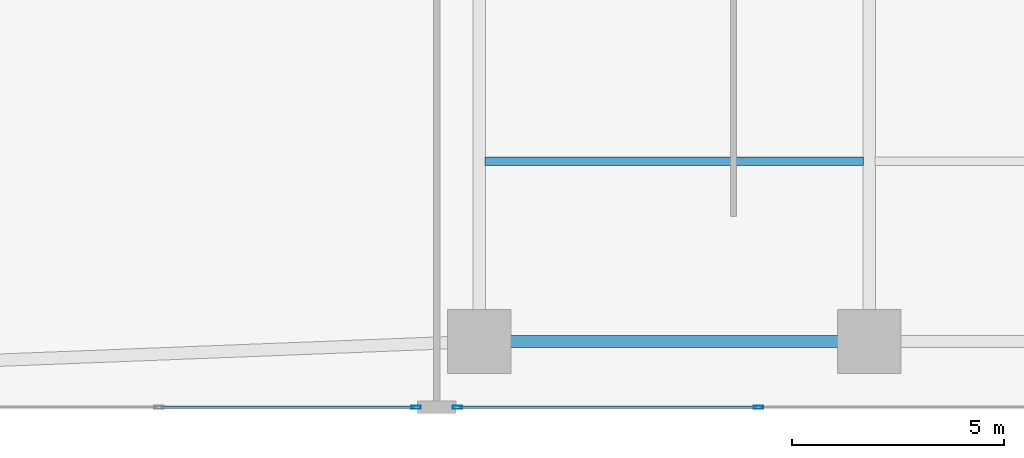
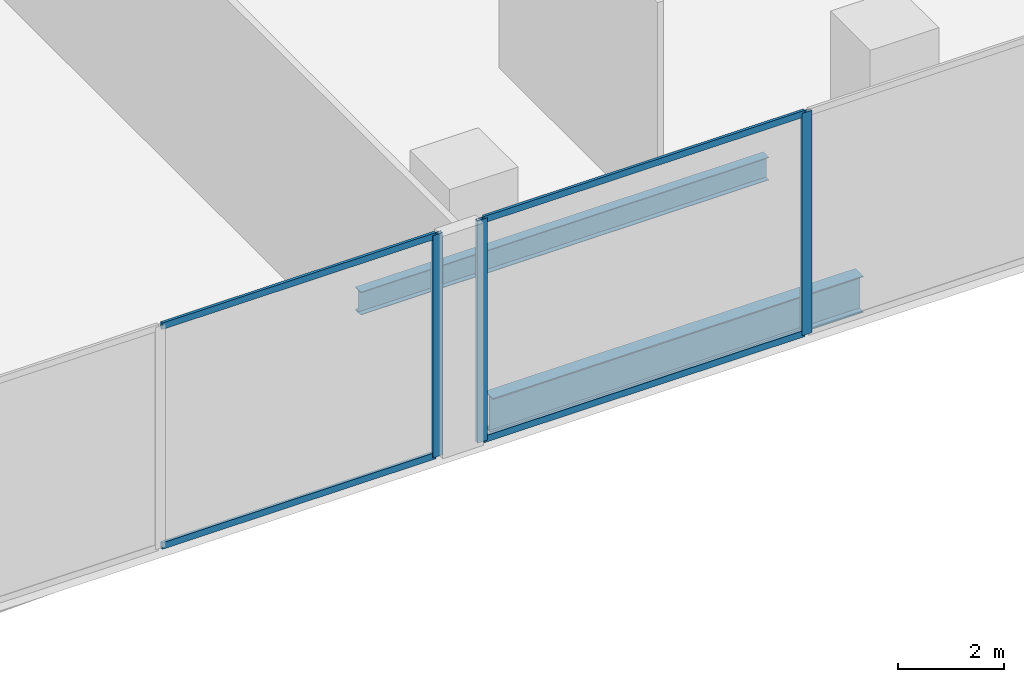
# One storey, part 4 of 30: 7 members, 2 beams, 2 elements without a shape of their own.
"""IFC4 building model written with IfcOpenShell, lengths in metres."""

from ifc_helpers import new_model, si_unit, direction, frame, origin, origin_2d, place, context, subcontext, project, spatial, hollow_rectangle, i_section, extrude, material, layer, layer_set, material_profile, profile_set, type_object, element, aggregate, save


model = new_model("IFC4")

# Units and contexts
model_context = context("Model", 3, precision=1e-05, world=origin(), true_north=direction((0.0, 1.0)))
body_context = subcontext(model_context, "Body", "Model", "MODEL_VIEW")
ifc_project = project(units=[si_unit("LENGTHUNIT", "METRE"), si_unit("AREAUNIT", "SQUARE_METRE"), si_unit("VOLUMEUNIT", "CUBIC_METRE"), si_unit("PLANEANGLEUNIT", "RADIAN"), si_unit("MASSUNIT", "GRAM", prefix="KILO")], contexts=[model_context])

# Site, building, storey
site_placement = place(None, origin())
site = spatial("IfcSite", under=ifc_project, at=site_placement, CompositionType="ELEMENT")
building_placement = place(site_placement, origin())
building = spatial("IfcBuilding", under=site, at=building_placement, Name="Zuhayl Quay Hotel", CompositionType="ELEMENT")
storey_placement = place(building_placement, frame((0.0, 0.0, 6.0)))
storey = spatial("IfcBuildingStorey", under=building, at=storey_placement, Name="L01", CompositionType="ELEMENT", Elevation=6.0)

# Beams
ifc_material_1 = material(Name="Steel ASTM A992 Grade 50", Category="steel")
ifc_material_profile_1 = material_profile(ifc_material_1, i_section(OverallWidth=0.208984375, OverallDepth=0.532958984375, WebThickness=0.01025390625, FlangeThickness=0.015625, at=origin_2d()), Name="W21X62")
ifc_profile_set_1 = profile_set([ifc_material_profile_1], Name="Steel ASTM A992 Grade 50")
beam_type_1 = type_object("IfcBeamType", Name="BM_J1_W21X62", PredefinedType="JOIST", material=ifc_profile_set_1)
beam_1_placement = place(storey_placement, frame((-13.662109375, -18.199951171875, -0.5166015625), z_axis=(1.0, 0.0, 0.0), x_axis=(0.0, 1.0, 0.0)))
element("IfcBeam", 1, at=beam_1_placement, inside=storey, type_object=beam_type_1, Name="L01 Floor Beam J_POD_L01_1_1", PredefinedType="JOIST", context=body_context, shape_type="SweptSolid", body=[
    extrude(i_section(OverallWidth=0.208984375, OverallDepth=0.532958984375, WebThickness=0.01025390625, FlangeThickness=0.015625, at=origin_2d()), origin(), (0.0, 0.0, 1.0), 8.924072265625),
])
ifc_material_profile_2 = material_profile(ifc_material_1, i_section(OverallWidth=0.2919921875, OverallDepth=0.845947265625, WebThickness=0.015380859375, FlangeThickness=0.0244140625, at=origin_2d()), Name="W33X141")
ifc_profile_set_2 = profile_set([ifc_material_profile_2], Name="Steel ASTM A992 Grade 50")
beam_type_2 = type_object("IfcBeamType", Name="BM_PG3_W33X141", PredefinedType="BEAM", material=ifc_profile_set_2)
beam_2_placement = place(storey_placement, frame((-13.25, -22.449951171875, -0.673095703125), z_axis=(1.0, 0.0, 0.0), x_axis=(0.0, 1.0, 0.0)))
element("IfcBeam", 2, at=beam_2_placement, inside=storey, type_object=beam_type_2, Name="L01 Floor Beam PG_S_L01_1", PredefinedType="BEAM", context=body_context, shape_type="SweptSolid", body=[
    extrude(i_section(OverallWidth=0.2919921875, OverallDepth=0.845947265625, WebThickness=0.015380859375, FlangeThickness=0.0244140625, at=origin_2d()), origin(), (0.0, 0.0, 1.0), 8.10009765625),
])

# Curtain wall, members
ifc_material_2 = material(Name="Anodised Aluminium 6063-T6", Category="aluminium")
ifc_layer = layer(ifc_material_2, 0.199951171875, Name="Anodised Aluminium 6063-T6", Category="aluminium")
ifc_layer_set = layer_set([ifc_layer], Name="Anodised Aluminium 6063-T6")
curtain_wall_type = type_object("IfcCurtainWallType", Name="CW_SYS_POD", PredefinedType="USERDEFINED", material=ifc_layer_set)
curtain_wall_1_placement = place(storey_placement, origin())
curtain_wall_1 = element("IfcCurtainWall", 3, at=curtain_wall_1_placement, inside=storey, type_object=curtain_wall_type, Name="L01 Curtain Wall ENV_L01_E11_CW2", ObjectType="UNITISED CURTAIN WALL", PredefinedType="USERDEFINED")
ifc_material_3 = material(Name="Black-anodised aluminium 6063-T6", Category="aluminium")
ifc_material_profile_3 = material_profile(ifc_material_3, hollow_rectangle(XDim=0.074951171875, YDim=0.219970703125, WallThickness=0.00390625, at=origin_2d()), Name="ALU220X75")
ifc_profile_set_3 = profile_set([ifc_material_profile_3], Name="Black-anodised aluminium 6063-T6")
member_type_1 = type_object("IfcMemberType", Name="MB_CW_MUL_220", PredefinedType="MULLION", material=ifc_profile_set_3)
member_1_placement = place(storey_placement, frame((-7.215087890625, -24.0, 0.0), z_axis=(0.0, 0.0, 1.0), x_axis=(0.0, -1.0, 0.0)))
member_1 = element("IfcMember", 4, at=member_1_placement, type_object=member_type_1, Name="CW-POD mullion 4", PredefinedType="MULLION", context=body_context, shape_type="SweptSolid", body=[
    extrude(hollow_rectangle(XDim=0.074951171875, YDim=0.219970703125, WallThickness=0.00390625, at=origin_2d()), origin(), (0.0, 0.0, 1.0), 5.139892578125),
])
member_2_placement = place(storey_placement, frame((-14.3125, -24.0, 0.0), z_axis=(0.0, 0.0, 1.0), x_axis=(0.0, -1.0, 0.0)))
member_2 = element("IfcMember", 5, at=member_2_placement, type_object=member_type_1, Name="CW-POD mullion 5", PredefinedType="MULLION", context=body_context, shape_type="SweptSolid", body=[
    extrude(hollow_rectangle(XDim=0.074951171875, YDim=0.219970703125, WallThickness=0.00390625, at=origin_2d()), origin(), (0.0, 0.0, 1.0), 5.139892578125),
])

# Curtain wall, member
curtain_wall_2_placement = place(storey_placement, origin())
curtain_wall_2 = element("IfcCurtainWall", 6, at=curtain_wall_2_placement, inside=storey, type_object=curtain_wall_type, Name="L01 Curtain Wall ENV_L01_E11_CW3", ObjectType="UNITISED CURTAIN WALL", PredefinedType="USERDEFINED")
member_3_placement = place(storey_placement, frame((-15.28759765625, -24.0, 0.0), z_axis=(0.0, 0.0, 1.0), x_axis=(0.0, -1.0, 0.0)))
member_3 = element("IfcMember", 7, at=member_3_placement, type_object=member_type_1, Name="CW-POD mullion 1", PredefinedType="MULLION", context=body_context, shape_type="SweptSolid", body=[
    extrude(hollow_rectangle(XDim=0.074951171875, YDim=0.219970703125, WallThickness=0.00390625, at=origin_2d()), origin(), (0.0, 0.0, 1.0), 5.139892578125),
])

# Member
ifc_material_profile_4 = material_profile(ifc_material_3, hollow_rectangle(XDim=0.06005859375, YDim=0.14990234375, WallThickness=0.00341796875, at=origin_2d()), Name="ALU150X60")
ifc_profile_set_4 = profile_set([ifc_material_profile_4], Name="Black-anodised aluminium 6063-T6")
member_type_2 = type_object("IfcMemberType", Name="MB_CW_TRN_150", PredefinedType="USERDEFINED", material=ifc_profile_set_4)
member_4_placement = place(storey_placement, frame((-7.25244140625, -24.0, 0.030029296875), z_axis=(-1.0, 0.0, 0.0), x_axis=(0.0, -1.0, 0.0)))
member_4 = element("IfcMember", 8, at=member_4_placement, type_object=member_type_2, Name="CW-POD transom 4.1", ObjectType="TRANSOM", PredefinedType="USERDEFINED", context=body_context, shape_type="SweptSolid", body=[
    extrude(hollow_rectangle(XDim=0.06005859375, YDim=0.14990234375, WallThickness=0.00341796875, at=origin_2d()), origin(), (0.0, 0.0, 1.0), 7.0224609375),
])

member_5_placement = place(storey_placement, frame((-7.25244140625, -24.0, 5.110107421875), z_axis=(-1.0, 0.0, 0.0), x_axis=(0.0, -1.0, 0.0)))
member_5 = element("IfcMember", 9, at=member_5_placement, type_object=member_type_2, Name="CW-POD transom 4.2", ObjectType="TRANSOM", PredefinedType="USERDEFINED", context=body_context, shape_type="SweptSolid", body=[
    extrude(hollow_rectangle(XDim=0.06005859375, YDim=0.14990234375, WallThickness=0.00341796875, at=origin_2d()), origin(), (0.0, 0.0, 1.0), 7.0224609375),
])

aggregate(curtain_wall_1, [member_1, member_2, member_4, member_5])

member_6_placement = place(storey_placement, frame((-15.324951171875, -24.0, 0.030029296875), z_axis=(-1.0, 0.0, 0.0), x_axis=(0.0, -1.0, 0.0)))
member_6 = element("IfcMember", 10, at=member_6_placement, type_object=member_type_2, Name="CW-POD transom 1.1", ObjectType="TRANSOM", PredefinedType="USERDEFINED", context=body_context, shape_type="SweptSolid", body=[
    extrude(hollow_rectangle(XDim=0.06005859375, YDim=0.14990234375, WallThickness=0.00341796875, at=origin_2d()), origin(), (0.0, 0.0, 1.0), 5.987548828125),
])

member_7_placement = place(storey_placement, frame((-15.324951171875, -24.0, 5.110107421875), z_axis=(-1.0, 0.0, 0.0), x_axis=(0.0, -1.0, 0.0)))
member_7 = element("IfcMember", 11, at=member_7_placement, type_object=member_type_2, Name="CW-POD transom 1.2", ObjectType="TRANSOM", PredefinedType="USERDEFINED", context=body_context, shape_type="SweptSolid", body=[
    extrude(hollow_rectangle(XDim=0.06005859375, YDim=0.14990234375, WallThickness=0.00341796875, at=origin_2d()), origin(), (0.0, 0.0, 1.0), 5.987548828125),
])

aggregate(curtain_wall_2, [member_3, member_6, member_7])

save(model, "model.ifc")
